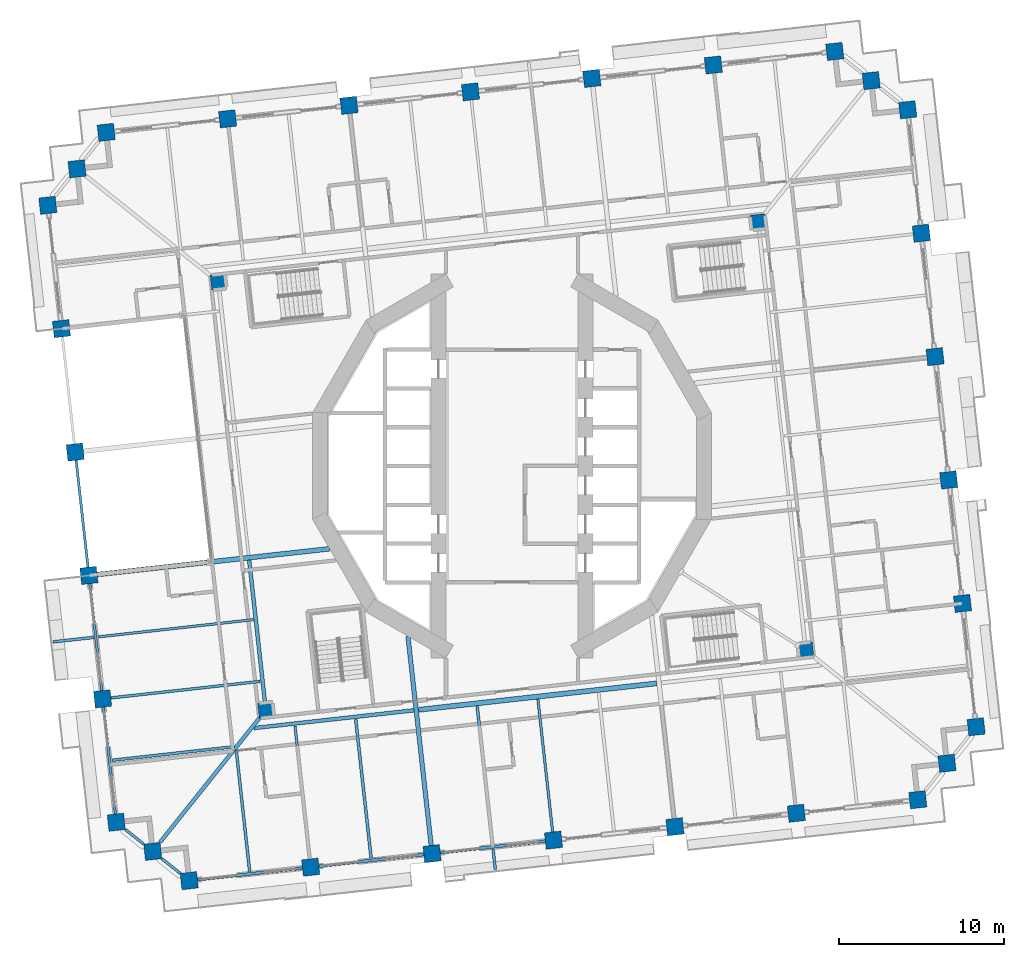
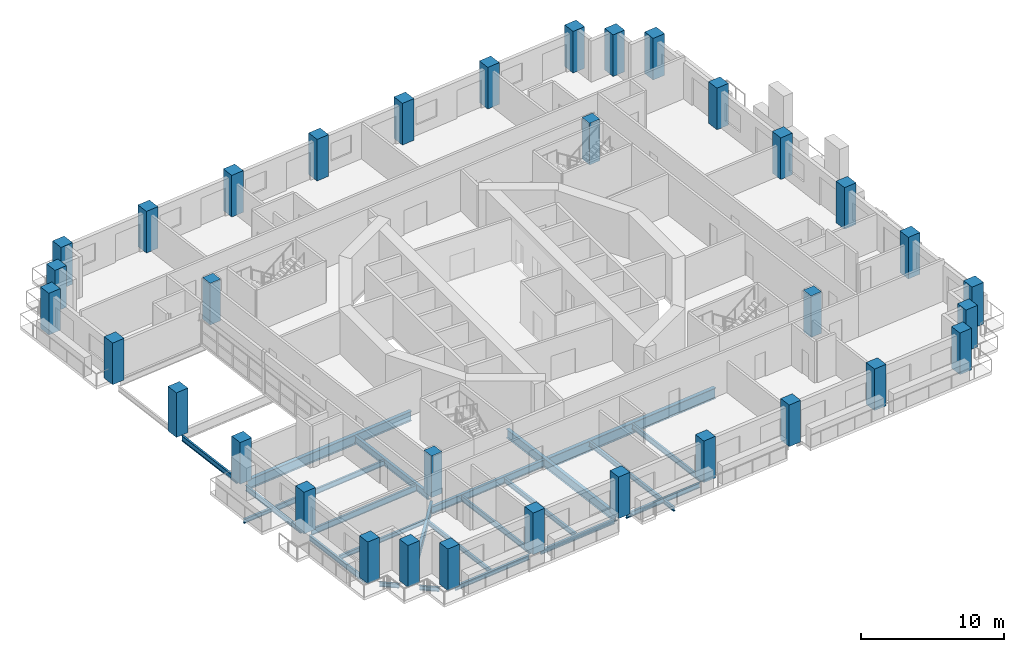
# One storey, part 1 of 21: 34 columns, 24 beams.
"""IFC4 building model written with IfcOpenShell, lengths in metres."""

from ifc_helpers import new_model, si_unit, direction, frame, origin, origin_2d, place, context, subcontext, project, spatial, rectangle, i_section, extrude, material, material_profile, profile_set, type_object, element, save


model = new_model("IFC4")

# Units and contexts
model_context = context("Model", 3, precision=1e-05, world=origin(), true_north=direction((0.0, 1.0)))
body_context = subcontext(model_context, "Body", "Model", "MODEL_VIEW")
ifc_project = project(units=[si_unit("LENGTHUNIT", "METRE"), si_unit("AREAUNIT", "SQUARE_METRE"), si_unit("VOLUMEUNIT", "CUBIC_METRE"), si_unit("PLANEANGLEUNIT", "RADIAN"), si_unit("MASSUNIT", "GRAM", prefix="KILO")], contexts=[model_context])

# Site, building, storey
site_placement = place(None, origin())
site = spatial("IfcSite", under=ifc_project, at=site_placement, CompositionType="ELEMENT")
building_placement = place(site_placement, origin())
building = spatial("IfcBuilding", under=site, at=building_placement, Name="Cantera Rosa Tower", CompositionType="ELEMENT")
storey_placement = place(building_placement, frame((0.0, 0.0, 69.10009765625)))
storey = spatial("IfcBuildingStorey", under=building, at=storey_placement, Name="L14", CompositionType="ELEMENT", Elevation=69.10009765625)

# Columns
ifc_material_1 = material(Name="Concrete C70/85", Category="concrete")
ifc_material_profile_1 = material_profile(ifc_material_1, rectangle(XDim=1.0, YDim=1.0, at=origin_2d()), Name="RC COLUMN RC1000X1000 C70/85")
ifc_profile_set_1 = profile_set([ifc_material_profile_1], Name="Concrete C70/85")
column_type_1 = type_object("IfcColumnType", Name="RC COLUMN RC1000X1000 C70/85", PredefinedType="COLUMN", material=ifc_profile_set_1)
for number, where, z_axis, x_axis, name in (
    (1, (28.114013671875, -15.795166015625, 0.0), (0.0, 0.0, 1.0), (0.993896946415, 0.110312555526, 0.0), "C-Z1-01 L14"),
    (2, (27.284423828125, -8.321044921875, 0.0), (0.0, 0.0, 1.0), (0.993896946415, 0.110312555526, 0.0), "C-Z1-02 L14"),
    (3, (26.454833984375, -0.846923828125, 0.0), (0.0, 0.0, 1.0), (0.993896946415, 0.110312555526, 0.0), "C-Z1-03 L14"),
    (4, (25.625244140625, 6.627197265625, 0.0), (0.0, 0.0, 1.0), (0.993896946415, 0.110312555526, 0.0), "C-Z1-04 L14"),
    (5, (24.795654296875, 14.101318359375, 0.0), (0.0, 0.0, 1.0), (0.993896946415, 0.110312555526, 0.0), "C-Z1-05 L14"),
    (6, (23.96630859375, 21.575439453125, 0.0), (0.0, 0.0, 1.0), (0.993896946415, 0.110312555526, 0.0), "C-Z1-06 L14"),
    (7, (21.7578125, 23.342529296875, 0.0), (0.0, 0.0, 1.0), (0.993896946415, 0.110312555526, 0.0), "C-Z1-07 L14"),
    (8, (19.54931640625, 25.10986328125, 0.0), (0.0, 0.0, 1.0), (0.993896946415, 0.110312555526, 0.0), "C-Z1-08 L14"),
    (9, (12.194580078125, 24.29345703125, 0.0), (0.0, 0.0, 1.0), (0.993896946415, 0.110312555526, 0.0), "C-Z1-09 L14"),
    (10, (4.839599609375, 23.47705078125, 0.0), (0.0, 0.0, 1.0), (0.993896946415, 0.110312555526, 0.0), "C-Z1-10 L14"),
    (11, (-2.51513671875, 22.660888671875, 0.0), (0.0, 0.0, 1.0), (0.993896946415, 0.110312555526, 0.0), "C-Z1-11 L14"),
    (12, (-9.869873046875, 21.844482421875, 0.0), (0.0, 0.0, 1.0), (0.993896946415, 0.110312555526, 0.0), "C-Z1-12 L14"),
    (13, (-17.224853515625, 21.0283203125, 0.0), (0.0, 0.0, 1.0), (0.993896946415, 0.110312555526, 0.0), "C-Z1-13 L14"),
    (14, (-24.57958984375, 20.2119140625, 0.0), (0.0, 0.0, 1.0), (0.993896946415, 0.110312555526, 0.0), "C-Z1-14 L14"),
    (15, (-26.346923828125, 18.00341796875, 0.0), (0.0, 0.0, 1.0), (0.993896946415, 0.110312555526, 0.0), "C-Z1-15 L14"),
    (16, (-28.114013671875, 15.795166015625, 0.0), (0.0, 0.0, 1.0), (0.993896946415, 0.110312555526, 0.0), "C-Z1-16 L14"),
    (17, (-27.284423828125, 8.321044921875, 0.0), (0.0, 0.0, 1.0), (0.993896946415, 0.110312555526, 0.0), "C-Z1-17 L14"),
):
    element("IfcColumn", number, at=place(storey_placement, frame(where, z_axis=z_axis, x_axis=x_axis)), inside=storey, type_object=column_type_1, Name=name, PredefinedType="COLUMN", context=body_context, shape_type="SweptSolid", body=[
        extrude(rectangle(XDim=1.0, YDim=1.0, at=origin_2d()), origin(), (0.0, 0.0, 1.0), 3.5498046875),
    ])
column_placement = place(storey_placement, frame((-26.454833984375, 0.846923828125, -0.25), z_axis=(0.0, 0.0, 1.0), x_axis=(0.993896946415, 0.110312555526, 0.0)))
element("IfcColumn", 18, at=column_placement, inside=storey, type_object=column_type_1, Name="C-Z1-18 L14", PredefinedType="COLUMN", context=body_context, shape_type="SweptSolid", body=[
    extrude(rectangle(XDim=1.0, YDim=1.0, at=origin_2d()), origin(), (0.0, 0.0, 1.0), 3.7998046875),
])
for number, where, z_axis, x_axis, name in (
    (19, (-25.625244140625, -6.627197265625, 0.0), (0.0, 0.0, 1.0), (0.993896946415, 0.110312555526, 0.0), "C-Z1-19 L14"),
    (20, (-24.795654296875, -14.101318359375, 0.0), (0.0, 0.0, 1.0), (0.993896946415, 0.110312555526, 0.0), "C-Z1-20 L14"),
    (21, (-23.96630859375, -21.575439453125, 0.0), (0.0, 0.0, 1.0), (0.993896946415, 0.110312555526, 0.0), "C-Z1-21 L14"),
    (22, (-21.7578125, -23.342529296875, 0.0), (0.0, 0.0, 1.0), (0.993896946415, 0.110312555526, 0.0), "C-Z1-22 L14"),
    (23, (-19.54931640625, -25.10986328125, 0.0), (0.0, 0.0, 1.0), (0.993896946415, 0.110312555526, 0.0), "C-Z1-23 L14"),
    (24, (-12.194580078125, -24.29345703125, 0.0), (0.0, 0.0, 1.0), (0.993896946415, 0.110312555526, 0.0), "C-Z1-24 L14"),
    (25, (-4.839599609375, -23.47705078125, 0.0), (0.0, 0.0, 1.0), (0.993896946415, 0.110312555526, 0.0), "C-Z1-25 L14"),
    (26, (2.51513671875, -22.660888671875, 0.0), (0.0, 0.0, 1.0), (0.993896946415, 0.110312555526, 0.0), "C-Z1-26 L14"),
    (27, (9.869873046875, -21.844482421875, 0.0), (0.0, 0.0, 1.0), (0.993896946415, 0.110312555526, 0.0), "C-Z1-27 L14"),
    (28, (17.224853515625, -21.0283203125, 0.0), (0.0, 0.0, 1.0), (0.993896946415, 0.110312555526, 0.0), "C-Z1-28 L14"),
    (29, (24.57958984375, -20.2119140625, 0.0), (0.0, 0.0, 1.0), (0.993896946415, 0.110312555526, 0.0), "C-Z1-29 L14"),
    (30, (26.346923828125, -18.00341796875, 0.0), (0.0, 0.0, 1.0), (0.993896946415, 0.110312555526, 0.0), "C-Z1-30 L14"),
):
    element("IfcColumn", number, at=place(storey_placement, frame(where, z_axis=z_axis, x_axis=x_axis)), inside=storey, type_object=column_type_1, Name=name, PredefinedType="COLUMN", context=body_context, shape_type="SweptSolid", body=[
        extrude(rectangle(XDim=1.0, YDim=1.0, at=origin_2d()), origin(), (0.0, 0.0, 1.0), 3.5498046875),
    ])
ifc_material_2 = material(Name="Concrete C70/85", Category="concrete")
ifc_material_profile_2 = material_profile(ifc_material_2, rectangle(XDim=0.89990234375, YDim=0.89990234375, at=origin_2d()), Name="RC RING COLUMN RC900X900 C70/85")
ifc_profile_set_2 = profile_set([ifc_material_profile_2], Name="Concrete C70/85")
column_type_2 = type_object("IfcColumnType", Name="RC RING COLUMN RC900X900 C70/85", PredefinedType="COLUMN", material=ifc_profile_set_2)
for number, where, z_axis, x_axis, name in (
    (31, (14.909912109375, 14.784912109375, 0.0), (0.0, 0.0, 1.0), (0.993896946415, 0.110312555526, 0.0), "CI-Z1-1 L14"),
    (32, (-17.7890625, 11.15576171875, 0.0), (0.0, 0.0, 1.0), (0.993896946415, 0.110312555526, 0.0), "CI-Z1-2 L14"),
    (33, (-14.909912109375, -14.784912109375, 0.0), (0.0, 0.0, 1.0), (0.993896946415, 0.110312555526, 0.0), "CI-Z1-3 L14"),
    (34, (17.7890625, -11.15576171875, 0.0), (0.0, 0.0, 1.0), (0.993896946415, 0.110312555526, 0.0), "CI-Z1-4 L14"),
):
    element("IfcColumn", number, at=place(storey_placement, frame(where, z_axis=z_axis, x_axis=x_axis)), inside=storey, type_object=column_type_2, Name=name, PredefinedType="COLUMN", context=body_context, shape_type="SweptSolid", body=[
        extrude(rectangle(XDim=0.89990234375, YDim=0.89990234375, at=origin_2d()), origin(), (0.0, 0.0, 1.0), 3.5498046875),
    ])

# Beams
ifc_material_3 = material(Name="Steel ASTM A992 (Fy 345 MPa)", Category="steel")
ifc_material_profile_3 = material_profile(ifc_material_3, i_section(OverallWidth=0.154052734375, OverallDepth=0.4599609375, WebThickness=0.009033203125, FlangeThickness=0.015380859375, FilletRadius=0.01025390625, at=origin_2d()), Name="W460X68")
ifc_profile_set_3 = profile_set([ifc_material_profile_3], Name="Steel ASTM A992 (Fy 345 MPa)")
beam_type_1 = type_object("IfcBeamType", Name="STEEL BEAM W460X68", PredefinedType="BEAM", material=ifc_profile_set_3)
beam_1_placement = place(storey_placement, frame((-12.249755859375, -23.796630859375, -0.47998046875), z_axis=(-0.110312435488, 0.993896959738, 0.0), x_axis=(-0.993896959738, -0.110312435488, 0.0)))
element("IfcBeam", 35, at=beam_1_placement, inside=storey, type_object=beam_type_1, Name="G-Z1-10 L14", PredefinedType="BEAM", context=body_context, shape_type="SweptSolid", body=[
    extrude(i_section(OverallWidth=0.154052734375, OverallDepth=0.4599609375, WebThickness=0.009033203125, FlangeThickness=0.015380859375, FilletRadius=0.01025390625, at=origin_2d()), origin(), (0.0, 0.0, 1.0), 8.10009765625),
])
beam_2_placement = place(storey_placement, frame((2.4599609375, -22.163818359375, -0.47998046875), z_axis=(-0.110315740112, 0.993896592953, 0.0), x_axis=(-0.993896592953, -0.110315740112, 0.0)))
element("IfcBeam", 36, at=beam_2_placement, inside=storey, type_object=beam_type_1, Name="G-Z1-12 L14", PredefinedType="BEAM", context=body_context, shape_type="SweptSolid", body=[
    extrude(i_section(OverallWidth=0.154052734375, OverallDepth=0.4599609375, WebThickness=0.009033203125, FlangeThickness=0.015380859375, FilletRadius=0.01025390625, at=origin_2d()), origin(), (0.0, 0.0, 1.0), 8.099853515625),
])
ifc_material_4 = material(Name="Steel ASTM A992 (Fy 345 MPa)", Category="steel")
ifc_material_profile_4 = material_profile(ifc_material_4, i_section(OverallWidth=0.166015625, OverallDepth=0.528076171875, WebThickness=0.009765625, FlangeThickness=0.013671875, FilletRadius=0.0126953125, at=origin_2d()), Name="W530X74")
ifc_profile_set_4 = profile_set([ifc_material_profile_4], Name="Steel ASTM A992 (Fy 345 MPa)")
beam_type_2 = type_object("IfcBeamType", Name="STEEL BEAM W530X74", PredefinedType="BEAM", material=ifc_profile_set_4)
beam_3_placement = place(storey_placement, frame((-24.298828125, -14.046142578125, -0.51416015625), z_axis=(0.993896161189, 0.110319630049, 0.0), x_axis=(-0.110319630049, 0.993896161189, 0.0)))
element("IfcBeam", 37, at=beam_3_placement, inside=storey, type_object=beam_type_2, Name="G-Z1-18 L14", PredefinedType="BEAM", context=body_context, shape_type="SweptSolid", body=[
    extrude(i_section(OverallWidth=0.166015625, OverallDepth=0.528076171875, WebThickness=0.009765625, FlangeThickness=0.013671875, FilletRadius=0.0126953125, at=origin_2d()), origin(), (0.0, 0.0, 1.0), 9.10009765625),
])
ifc_material_5 = material(Name="Steel ASTM A992 (Fy 345 MPa)", Category="steel")
ifc_material_profile_5 = material_profile(ifc_material_5, i_section(OverallWidth=0.22802734375, OverallDepth=0.60205078125, WebThickness=0.010498046875, FlangeThickness=0.014892578125, FilletRadius=0.0126953125, at=origin_2d()), Name="W610X101")
ifc_profile_set_5 = profile_set([ifc_material_profile_5], Name="Steel ASTM A992 (Fy 345 MPa)")
beam_type_3 = type_object("IfcBeamType", Name="STEEL BEAM W610X101", PredefinedType="BEAM", material=ifc_profile_set_5)
beam_4_placement = place(storey_placement, frame((-21.31591796875, -22.79052734375, -0.551025390625), z_axis=(0.624787924463, 0.780794498857, 0.0), x_axis=(-0.780794498857, 0.624787924463, 0.0)))
element("IfcBeam", 38, at=beam_4_placement, inside=storey, type_object=beam_type_3, Name="CB-Z1-03 L14", PredefinedType="BEAM", context=body_context, shape_type="SweptSolid", body=[
    extrude(i_section(OverallWidth=0.22802734375, OverallDepth=0.60205078125, WebThickness=0.010498046875, FlangeThickness=0.014892578125, FilletRadius=0.0126953125, at=origin_2d()), origin(), (0.0, 0.0, 1.0), 9.616455078125),
])
beam_5_placement = place(storey_placement, frame((-14.959716796875, -14.337646484375, -0.551025390625), z_axis=(-0.110298932846, 0.993898458301, 0.0), x_axis=(-0.993898458301, -0.110298932846, 0.0)))
element("IfcBeam", 39, at=beam_5_placement, inside=storey, type_object=beam_type_3, Name="RB-Z1-10 L14", PredefinedType="BEAM", context=body_context, shape_type="SweptSolid", body=[
    extrude(i_section(OverallWidth=0.22802734375, OverallDepth=0.60205078125, WebThickness=0.010498046875, FlangeThickness=0.014892578125, FilletRadius=0.0126953125, at=origin_2d()), origin(), (0.0, 0.0, 1.0), 8.68994140625),
])
ifc_material_6 = material(Name="Steel ASTM A992 (Fy 345 MPa)", Category="steel")
ifc_material_profile_6 = material_profile(ifc_material_6, i_section(OverallWidth=0.22900390625, OverallDepth=0.612060546875, WebThickness=0.011962890625, FlangeThickness=0.01953125, FilletRadius=0.0126953125, at=origin_2d()), Name="W610X125")
ifc_profile_set_6 = profile_set([ifc_material_profile_6], Name="Steel ASTM A992 (Fy 345 MPa)")
beam_type_4 = type_object("IfcBeamType", Name="STEEL BEAM W610X125", PredefinedType="BEAM", material=ifc_profile_set_6)
beam_6_placement = place(storey_placement, frame((-15.64453125, -15.87255859375, -0.55615234375), z_axis=(0.993898078625, 0.110302354035, 0.0), x_axis=(-0.110302354035, 0.993898078625, 0.0)))
element("IfcBeam", 40, at=beam_6_placement, inside=storey, type_object=beam_type_4, Name="RB-Z1-04 L14", PredefinedType="BEAM", context=body_context, shape_type="SweptSolid", body=[
    extrude(i_section(OverallWidth=0.22900390625, OverallDepth=0.612060546875, WebThickness=0.011962890625, FlangeThickness=0.01953125, FilletRadius=0.0126953125, at=origin_2d()), origin(), (0.0, 0.0, 1.0), 9.75),
])
ifc_material_7 = material(Name="Steel ASTM A992 (Fy 345 MPa)", Category="steel")
ifc_material_profile_7 = material_profile(ifc_material_7, i_section(OverallWidth=0.26708984375, OverallDepth=0.75390625, WebThickness=0.01318359375, FlangeThickness=0.01708984375, FilletRadius=0.0166015625, at=origin_2d()), Name="W760X147")
ifc_profile_set_7 = profile_set([ifc_material_profile_7], Name="Steel ASTM A992 (Fy 345 MPa)")
beam_type_5 = type_object("IfcBeamType", Name="STEEL BEAM W760X147", PredefinedType="BEAM", material=ifc_profile_set_7)
beam_7_placement = place(storey_placement, frame((-4.894775390625, -22.980224609375, -0.627197265625), z_axis=(-0.11031177493, 0.993897033053, 0.0), x_axis=(-0.993897033053, -0.11031177493, 0.0)))
element("IfcBeam", 41, at=beam_7_placement, inside=storey, type_object=beam_type_5, Name="G-Z1-11 L14", PredefinedType="BEAM", context=body_context, shape_type="SweptSolid", body=[
    extrude(i_section(OverallWidth=0.26708984375, OverallDepth=0.75390625, WebThickness=0.01318359375, FlangeThickness=0.01708984375, FilletRadius=0.0166015625, at=origin_2d()), origin(), (0.0, 0.0, 1.0), 12.754638671875),
])
ifc_material_8 = material(Name="Steel ASTM A992 (Fy 345 MPa)", Category="steel")
ifc_material_profile_8 = material_profile(ifc_material_8, i_section(OverallWidth=0.2919921875, OverallDepth=0.8359375, WebThickness=0.013916015625, FlangeThickness=0.018798828125, FilletRadius=0.017822265625, at=origin_2d()), Name="W840X176")
ifc_profile_set_8 = profile_set([ifc_material_profile_8], Name="Steel ASTM A992 (Fy 345 MPa)")
beam_type_6 = type_object("IfcBeamType", Name="STEEL BEAM W840X176", PredefinedType="BEAM", material=ifc_profile_set_8)
beam_8_placement = place(storey_placement, frame((-25.12841796875, -6.572021484375, -0.668212890625), z_axis=(0.993897599241, 0.110306673519, 0.0), x_axis=(-0.110306673519, 0.993897599241, 0.0)))
element("IfcBeam", 42, at=beam_8_placement, inside=storey, type_object=beam_type_6, Name="G-Z1-17 L14", PredefinedType="BEAM", context=body_context, shape_type="SweptSolid", body=[
    extrude(i_section(OverallWidth=0.2919921875, OverallDepth=0.8359375, WebThickness=0.013916015625, FlangeThickness=0.018798828125, FilletRadius=0.017822265625, at=origin_2d()), origin(), (0.0, 0.0, 1.0), 14.1650390625),
])
ifc_material_9 = material(Name="Steel ASTM A992 (Fy 345 MPa)", Category="steel")
ifc_material_profile_9 = material_profile(ifc_material_9, i_section(OverallWidth=0.304931640625, OverallDepth=0.9189453125, WebThickness=0.017333984375, FlangeThickness=0.02783203125, FilletRadius=0.01904296875, at=origin_2d()), Name="W920X253")
ifc_profile_set_9 = profile_set([ifc_material_profile_9], Name="Steel ASTM A992 (Fy 345 MPa)")
beam_type_7 = type_object("IfcBeamType", Name="STEEL BEAM W920X253", PredefinedType="BEAM", material=ifc_profile_set_9)
beam_9_placement = place(storey_placement, frame((-5.65576171875, -14.763916015625, -0.709716796875), z_axis=(0.993898099692, 0.110302164209, 0.0), x_axis=(-0.110302164209, 0.993898099692, 0.0)))
element("IfcBeam", 43, at=beam_9_placement, inside=storey, type_object=beam_type_7, Name="RB-Z1-05 L14", PredefinedType="BEAM", context=body_context, shape_type="SweptSolid", body=[
    extrude(i_section(OverallWidth=0.304931640625, OverallDepth=0.9189453125, WebThickness=0.017333984375, FlangeThickness=0.02783203125, FilletRadius=0.01904296875, at=origin_2d()), origin(), (0.0, 0.0, 1.0), 14.499755859375),
])
ifc_material_10 = material(Name="Steel ASTM A992 (Fy 345 MPa)", Category="steel")
ifc_material_profile_10 = material_profile(ifc_material_10, i_section(OverallWidth=0.1708984375, OverallDepth=0.35595703125, WebThickness=0.00732421875, FlangeThickness=0.01171875, FilletRadius=0.010009765625, at=origin_2d()), Name="W360X51")
ifc_profile_set_10 = profile_set([ifc_material_profile_10], Name="Steel ASTM A992 (Fy 345 MPa)")
beam_type_8 = type_object("IfcBeamType", Name="STEEL JOIST W360X51", PredefinedType="JOIST", material=ifc_profile_set_10)
beam_10_placement = place(storey_placement, frame((-15.888427734375, -24.552490234375, -0.427978515625), z_axis=(-0.110326513132, 0.993895397162, 0.0), x_axis=(-0.993895397162, -0.110326513132, 0.0)))
element("IfcBeam", 44, at=beam_10_placement, inside=storey, type_object=beam_type_8, Name="B-Z1-12 L14", PredefinedType="JOIST", context=body_context, shape_type="SweptSolid", body=[
    extrude(i_section(OverallWidth=0.1708984375, OverallDepth=0.35595703125, WebThickness=0.00732421875, FlangeThickness=0.01171875, FilletRadius=0.010009765625, at=origin_2d()), origin(), (0.0, 0.0, 1.0), 7.39990234375),
])
beam_11_placement = place(storey_placement, frame((-24.23193359375, -17.82177734375, -0.427978515625), z_axis=(0.993899688369, 0.110287848199, 0.0), x_axis=(-0.110287848199, 0.993899688369, 0.0)))
element("IfcBeam", 45, at=beam_11_placement, inside=storey, type_object=beam_type_8, Name="B-Z1-22 L14", PredefinedType="JOIST", context=body_context, shape_type="SweptSolid", body=[
    extrude(i_section(OverallWidth=0.1708984375, OverallDepth=0.35595703125, WebThickness=0.00732421875, FlangeThickness=0.01171875, FilletRadius=0.010009765625, at=origin_2d()), origin(), (0.0, 0.0, 1.0), 7.4599609375),
])
beam_12_placement = place(storey_placement, frame((-25.33984375, -10.378662109375, -0.427978515625), z_axis=(-0.993894523039, -0.110334387538, 0.0), x_axis=(0.110334387538, -0.993894523039, 0.0)))
element("IfcBeam", 46, at=beam_12_placement, inside=storey, type_object=beam_type_8, Name="BS-Z1-14 L14", PredefinedType="JOIST", context=body_context, shape_type="SweptSolid", body=[
    extrude(i_section(OverallWidth=0.1708984375, OverallDepth=0.35595703125, WebThickness=0.00732421875, FlangeThickness=0.01171875, FilletRadius=0.010009765625, at=origin_2d()), origin(), (0.0, 0.0, 1.0), 2.482666015625),
])
beam_13_placement = place(storey_placement, frame((-1.14794921875, -23.1982421875, -0.427978515625), z_axis=(0.110345783203, -0.993893257915, 0.0), x_axis=(0.993893257915, 0.110345783203, 0.0)))
element("IfcBeam", 47, at=beam_13_placement, inside=storey, type_object=beam_type_8, Name="BS-Z1-16 L14", PredefinedType="JOIST", context=body_context, shape_type="SweptSolid", body=[
    extrude(i_section(OverallWidth=0.1708984375, OverallDepth=0.35595703125, WebThickness=0.00732421875, FlangeThickness=0.01171875, FilletRadius=0.010009765625, at=origin_2d()), origin(), (0.0, 0.0, 1.0), 1.25),
])
ifc_material_11 = material(Name="Steel ASTM A992 (Fy 345 MPa)", Category="steel")
ifc_material_profile_11 = material_profile(ifc_material_11, i_section(OverallWidth=0.177978515625, OverallDepth=0.406005859375, WebThickness=0.0078125, FlangeThickness=0.0126953125, FilletRadius=0.01025390625, at=origin_2d()), Name="W410X60")
ifc_profile_set_11 = profile_set([ifc_material_profile_11], Name="Steel ASTM A992 (Fy 345 MPa)")
beam_type_9 = type_object("IfcBeamType", Name="STEEL JOIST W410X60", PredefinedType="JOIST", material=ifc_profile_set_11)
for number, where, z_axis, x_axis, name in (
    (48, (-8.53369140625, -23.736328125, -0.453125), (-0.110311022989, 0.99389711651, 0.0), (-0.99389711651, -0.110311022989, 0.0), "B-Z1-13 L14"),
    (49, (-1.178955078125, -22.919921875, -0.453125), (-0.110311022989, 0.99389711651, 0.0), (-0.99389711651, -0.110311022989, 0.0), "B-Z1-14 L14"),
):
    element("IfcBeam", number, at=place(storey_placement, frame(where, z_axis=z_axis, x_axis=x_axis)), inside=storey, type_object=beam_type_9, Name=name, PredefinedType="JOIST", context=body_context, shape_type="SweptSolid", body=[
        extrude(i_section(OverallWidth=0.177978515625, OverallDepth=0.406005859375, WebThickness=0.0078125, FlangeThickness=0.0126953125, FilletRadius=0.01025390625, at=origin_2d()), origin(), (0.0, 0.0, 1.0), 8.449951171875),
    ])
ifc_material_12 = material(Name="Steel ASTM A992 (Fy 345 MPa)", Category="steel")
ifc_material_profile_12 = material_profile(ifc_material_12, i_section(OverallWidth=0.154052734375, OverallDepth=0.4599609375, WebThickness=0.009033203125, FlangeThickness=0.015380859375, FilletRadius=0.01025390625, at=origin_2d()), Name="W460X68")
ifc_profile_set_12 = profile_set([ifc_material_profile_12], Name="Steel ASTM A992 (Fy 345 MPa)")
beam_type_10 = type_object("IfcBeamType", Name="STEEL JOIST W460X68", PredefinedType="JOIST", material=ifc_profile_set_12)
beam_14_placement = place(storey_placement, frame((-25.0615234375, -10.34765625, -0.47998046875), z_axis=(0.993896645353, 0.110315268011, 0.0), x_axis=(-0.110315268011, 0.993896645353, 0.0)))
element("IfcBeam", 50, at=beam_14_placement, inside=storey, type_object=beam_type_10, Name="B-Z1-21 L14", PredefinedType="JOIST", context=body_context, shape_type="SweptSolid", body=[
    extrude(i_section(OverallWidth=0.154052734375, OverallDepth=0.4599609375, WebThickness=0.009033203125, FlangeThickness=0.015380859375, FilletRadius=0.01025390625, at=origin_2d()), origin(), (0.0, 0.0, 1.0), 9.449951171875),
])
ifc_material_13 = material(Name="Steel ASTM A992 (Fy 345 MPa)", Category="steel")
ifc_material_profile_13 = material_profile(ifc_material_13, i_section(OverallWidth=0.1708984375, OverallDepth=0.35595703125, WebThickness=0.00732421875, FlangeThickness=0.01171875, FilletRadius=0.010009765625, at=origin_2d()), Name="W360X51")
ifc_profile_set_13 = profile_set([ifc_material_profile_13], Name="Steel ASTM A992 (Fy 345 MPa)")
beam_type_11 = type_object("IfcBeamType", Name="STEEL SPANDREL BEAM W360X51", PredefinedType="SPANDREL", material=ifc_profile_set_13)
for number, where, z_axis, x_axis, name in (
    (51, (-23.4140625, -22.017333984375, -0.427978515625), (0.780818280208, -0.624758203863, 0.0), (0.624758203863, 0.780818280208, 0.0), "EB-Z1-21 L14"),
    (52, (-21.205810546875, -23.784423828125, -0.427978515625), (0.780818280208, -0.624758203863, 0.0), (0.624758203863, 0.780818280208, 0.0), "EB-Z1-22 L14"),
):
    element("IfcBeam", number, at=place(storey_placement, frame(where, z_axis=z_axis, x_axis=x_axis)), inside=storey, type_object=beam_type_11, Name=name, PredefinedType="SPANDREL", context=body_context, shape_type="SweptSolid", body=[
        extrude(i_section(OverallWidth=0.1708984375, OverallDepth=0.35595703125, WebThickness=0.00732421875, FlangeThickness=0.01171875, FilletRadius=0.010009765625, at=origin_2d()), origin(), (0.0, 0.0, 1.0), 1.414306640625),
    ])
ifc_material_14 = material(Name="Steel ASTM A992 (Fy 345 MPa)", Category="steel")
ifc_material_profile_14 = material_profile(ifc_material_14, i_section(OverallWidth=0.177978515625, OverallDepth=0.406005859375, WebThickness=0.0078125, FlangeThickness=0.0126953125, FilletRadius=0.01025390625, at=origin_2d()), Name="W410X60")
ifc_profile_set_14 = profile_set([ifc_material_profile_14], Name="Steel ASTM A992 (Fy 345 MPa)")
beam_type_12 = type_object("IfcBeamType", Name="STEEL SPANDREL BEAM W410X60", PredefinedType="SPANDREL", material=ifc_profile_set_14)
beam_15_placement = place(storey_placement, frame((-19.052490234375, -25.0546875, -0.453125), z_axis=(0.993896288542, 0.110318482689, 0.0), x_axis=(-0.110318482689, 0.993896288542, 0.0)))
element("IfcBeam", 53, at=beam_15_placement, inside=storey, type_object=beam_type_12, Name="EB-Z1-23 L14", PredefinedType="SPANDREL", context=body_context, shape_type="SweptSolid", body=[
    extrude(i_section(OverallWidth=0.177978515625, OverallDepth=0.406005859375, WebThickness=0.0078125, FlangeThickness=0.0126953125, FilletRadius=0.01025390625, at=origin_2d()), origin(), (0.0, 0.0, 1.0), 6.400146484375),
])
for number, where, z_axis, x_axis, name in (
    (54, (-11.697509765625, -24.23828125, -0.453125), (0.993895824271, 0.110322665379, 0.0), (-0.110322665379, 0.993895824271, 0.0), "EB-Z1-24 L14"),
    (55, (-4.3427734375, -23.422119140625, -0.453125), (0.993895824271, 0.110322665379, 0.0), (-0.110322665379, 0.993895824271, 0.0), "EB-Z1-25 L14"),
):
    element("IfcBeam", number, at=place(storey_placement, frame(where, z_axis=z_axis, x_axis=x_axis)), inside=storey, type_object=beam_type_12, Name=name, PredefinedType="SPANDREL", context=body_context, shape_type="SweptSolid", body=[
        extrude(i_section(OverallWidth=0.177978515625, OverallDepth=0.406005859375, WebThickness=0.0078125, FlangeThickness=0.0126953125, FilletRadius=0.01025390625, at=origin_2d()), origin(), (0.0, 0.0, 1.0), 6.39990234375),
    ])
ifc_material_15 = material(Name="Steel ASTM A992 (Fy 345 MPa)", Category="steel")
ifc_material_profile_15 = material_profile(ifc_material_15, i_section(OverallWidth=0.154052734375, OverallDepth=0.4599609375, WebThickness=0.009033203125, FlangeThickness=0.015380859375, FilletRadius=0.01025390625, at=origin_2d()), Name="W460X68")
ifc_profile_set_15 = profile_set([ifc_material_profile_15], Name="Steel ASTM A992 (Fy 345 MPa)")
beam_type_13 = type_object("IfcBeamType", Name="STEEL SPANDREL BEAM W460X68", PredefinedType="SPANDREL", material=ifc_profile_set_15)
for number, where, z_axis, x_axis, name in (
    (56, (-26.399658203125, 0.349853515625, -0.47998046875), (0.110312341265, -0.993896970196, 0.0), (0.993896970196, 0.110312341265, 0.0), "EB-Z1-18 L14"),
    (57, (-25.570068359375, -7.124267578125, -0.47998046875), (0.110312341265, -0.993896970196, 0.0), (0.993896970196, 0.110312341265, 0.0), "EB-Z1-19 L14"),
    (58, (-24.74072265625, -14.598388671875, -0.47998046875), (0.110312341265, -0.993896970196, 0.0), (0.993896970196, 0.110312341265, 0.0), "EB-Z1-20 L14"),
):
    element("IfcBeam", number, at=place(storey_placement, frame(where, z_axis=z_axis, x_axis=x_axis)), inside=storey, type_object=beam_type_13, Name=name, PredefinedType="SPANDREL", context=body_context, shape_type="SweptSolid", body=[
        extrude(i_section(OverallWidth=0.154052734375, OverallDepth=0.4599609375, WebThickness=0.009033203125, FlangeThickness=0.015380859375, FilletRadius=0.01025390625, at=origin_2d()), origin(), (0.0, 0.0, 1.0), 6.52001953125),
    ])

save(model, "model.ifc")
